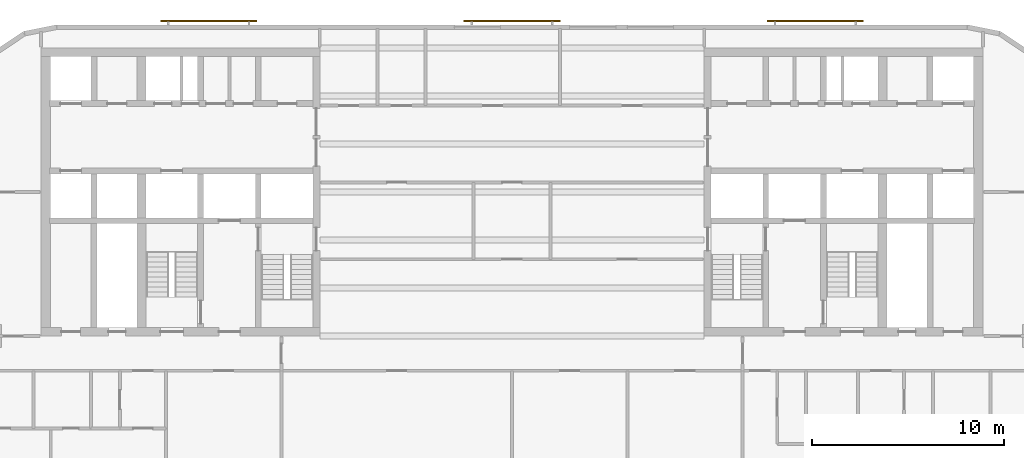
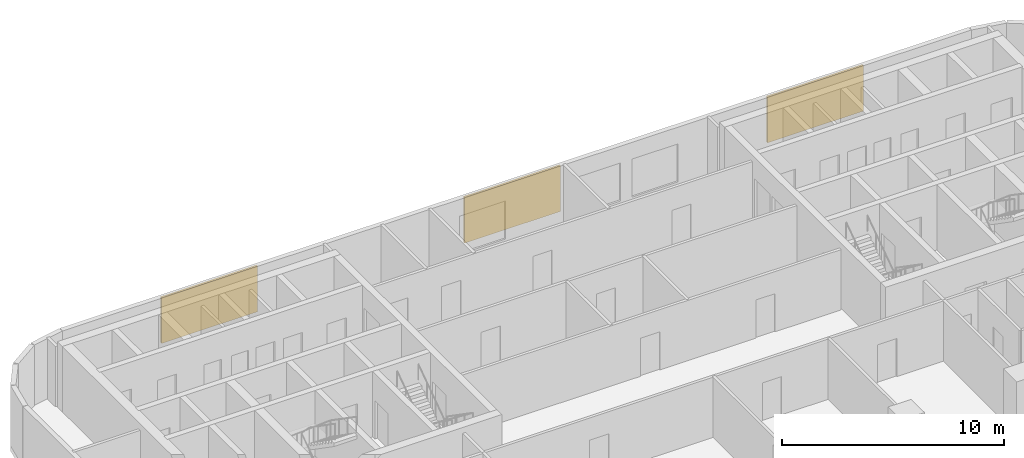
# One storey, part 10 of 11: 3 shading devices.
"""IFC4 building model written with IfcOpenShell, lengths in metres."""

from ifc_helpers import new_model, si_unit, direction, frame, origin, origin_2d, place, context, subcontext, project, spatial, rectangle, extrude, material, layer, layer_set, type_object, element, save


model = new_model("IFC4")

# Units and contexts
model_context = context("Model", 3, precision=1e-05, world=origin(), true_north=direction((0.0, 1.0)))
body_context = subcontext(model_context, "Body", "Model", "MODEL_VIEW")
ifc_project = project(units=[si_unit("LENGTHUNIT", "METRE"), si_unit("AREAUNIT", "SQUARE_METRE"), si_unit("VOLUMEUNIT", "CUBIC_METRE"), si_unit("PLANEANGLEUNIT", "RADIAN"), si_unit("MASSUNIT", "GRAM", prefix="KILO")], contexts=[model_context])

# Site, building, storey
site_placement = place(None, origin())
site = spatial("IfcSite", under=ifc_project, at=site_placement, CompositionType="ELEMENT")
building_placement = place(site_placement, origin())
building = spatial("IfcBuilding", under=site, at=building_placement, Name="Torana Hotel and Residences", CompositionType="ELEMENT")
storey_placement = place(building_placement, frame((0.0, 0.0, 120.0)))
storey = spatial("IfcBuildingStorey", under=building, at=storey_placement, Name="L30", CompositionType="ELEMENT", Elevation=120.0)

# Shading devices
ifc_material = material(Name="Concrete C40/50 precast", Category="concrete")
ifc_layer = layer(ifc_material, 0.10009765625)
ifc_layer_set = layer_set([ifc_layer], Name="SC1 PERFORATED BLOCK SCREEN PANEL 100")
shading_device_type = type_object("IfcShadingDeviceType", Name="SC1 PERFORATED BLOCK SCREEN PANEL 100", PredefinedType="USERDEFINED", material=ifc_layer_set)
for number, where, z_axis, x_axis, name in (
    (1, (15.78369140625, 1.39990234375, 0.5), (0.0, 0.0, 1.0), (-1.0, 0.0, 0.0), "Perforated block screen L30"),
    (2, (0.0, 1.39990234375, 0.5), (0.0, 0.0, 1.0), (-1.0, 0.0, 0.0), "Perforated block screen L30"),
    (3, (-15.78369140625, 1.39990234375, 0.5), (0.0, 0.0, 1.0), (-1.0, 0.0, 0.0), "Perforated block screen L30"),
):
    element("IfcShadingDevice", number, at=place(storey_placement, frame(where, z_axis=z_axis, x_axis=x_axis)), inside=storey, type_object=shading_device_type, Name=name, ObjectType="SCREEN", PredefinedType="USERDEFINED", context=body_context, shape_type="SweptSolid", body=[
        extrude(rectangle(XDim=5.0, YDim=0.10009765625, at=origin_2d()), origin(), (0.0, 0.0, 1.0), 2.52001953125),
    ])

save(model, "model.ifc")
